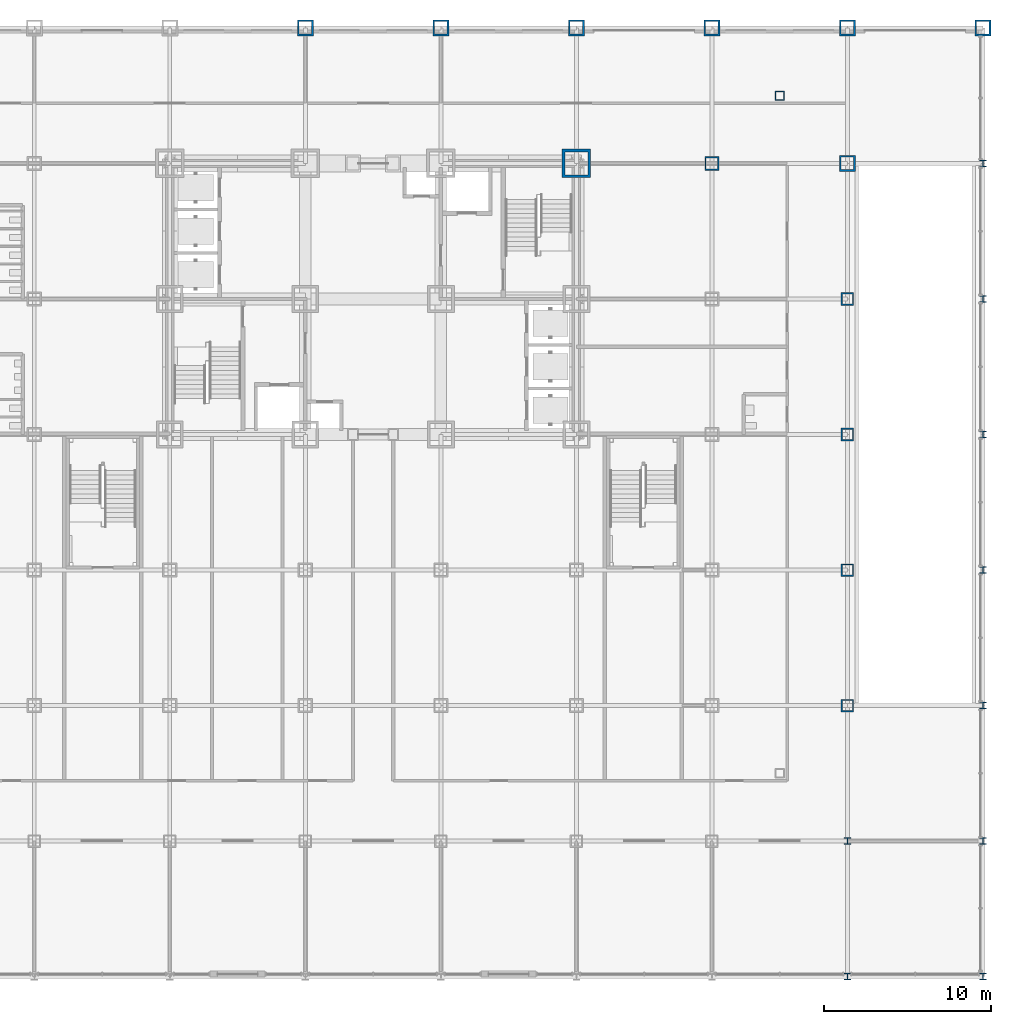
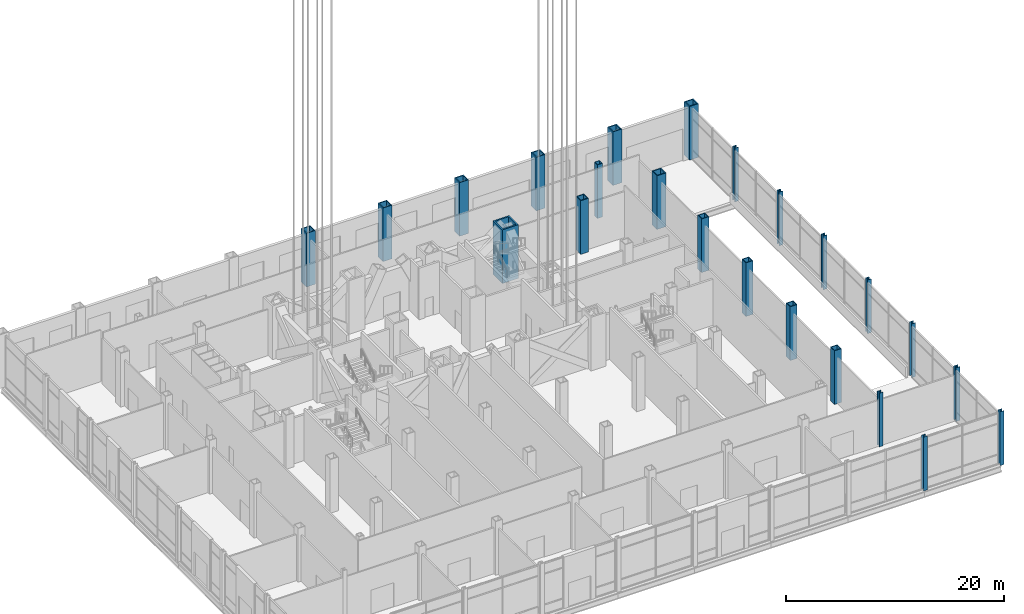
# One storey, part 8 of 35: 23 columns.
"""IFC4 building model written with IfcOpenShell, lengths in metres."""

from ifc_helpers import new_model, si_unit, direction, frame, origin, origin_2d, place, context, subcontext, project, spatial, hollow_rectangle, i_section, extrude, material, material_profile, profile_set, type_object, element, save


model = new_model("IFC4")

# Units and contexts
model_context = context("Model", 3, precision=1e-05, world=origin(), true_north=direction((0.0, 1.0)))
body_context = subcontext(model_context, "Body", "Model", "MODEL_VIEW")
ifc_project = project(units=[si_unit("LENGTHUNIT", "METRE"), si_unit("AREAUNIT", "SQUARE_METRE"), si_unit("VOLUMEUNIT", "CUBIC_METRE"), si_unit("PLANEANGLEUNIT", "RADIAN"), si_unit("MASSUNIT", "GRAM", prefix="KILO")], contexts=[model_context])

# Site, building, storey
site_placement = place(None, origin())
site = spatial("IfcSite", under=ifc_project, at=site_placement, CompositionType="ELEMENT")
building_placement = place(site_placement, origin())
building = spatial("IfcBuilding", under=site, at=building_placement, Name="Kopane Lantern Tower", CompositionType="ELEMENT")
storey_placement = place(building_placement, origin())
storey = spatial("IfcBuildingStorey", under=building, at=storey_placement, Name="L00", CompositionType="ELEMENT", Elevation=0.0)

# Columns
ifc_material_1 = material(Name="Steel S355JR", Category="steel")
ifc_material_profile_1 = material_profile(ifc_material_1, hollow_rectangle(XDim=1.699951171875, YDim=1.699951171875, WallThickness=0.159912109375, at=origin_2d()), Name="BOX 1700x1700x160")
ifc_profile_set_1 = profile_set([ifc_material_profile_1], Name="Steel S355JR")
column_type_1 = type_object("IfcColumnType", Name="COLUMN BOX 1700x1700x160", PredefinedType="COLUMN", material=ifc_profile_set_1)
column_1_placement = place(storey_placement, frame((40.5, 40.5, 0.0), z_axis=(0.0, 0.0, 1.0), x_axis=(1.0, 0.0, 0.0)))
element("IfcColumn", 1, at=column_1_placement, inside=storey, type_object=column_type_1, Name="Column 7/G L00", PredefinedType="COLUMN", context=body_context, shape_type="SweptSolid", body=[
    extrude(hollow_rectangle(XDim=1.699951171875, YDim=1.699951171875, WallThickness=0.159912109375, at=origin_2d()), origin(), (0.0, 0.0, 1.0), 6.0),
])
ifc_material_2 = material(Name="Steel S355JR", Category="steel")
ifc_material_profile_2 = material_profile(ifc_material_2, hollow_rectangle(XDim=0.550048828125, YDim=0.550048828125, WallThickness=0.050048828125, at=origin_2d()), Name="BOX 550x550x50")
ifc_profile_set_2 = profile_set([ifc_material_profile_2], Name="Steel S355JR")
column_type_2 = type_object("IfcColumnType", Name="COLUMN BOX 550x550x50", PredefinedType="COLUMN", material=ifc_profile_set_2)
column_2_placement = place(storey_placement, frame((52.64990234375, 44.550048828125, 0.0), z_axis=(0.0, 0.0, 1.0), x_axis=(1.0, 0.0, 0.0)))
element("IfcColumn", 2, at=column_2_placement, inside=storey, type_object=column_type_2, Name="Column 52.65/44.55 L00", PredefinedType="COLUMN", context=body_context, shape_type="SweptSolid", body=[
    extrude(hollow_rectangle(XDim=0.550048828125, YDim=0.550048828125, WallThickness=0.050048828125, at=origin_2d()), origin(), (0.0, 0.0, 1.0), 6.0),
])
ifc_material_3 = material(Name="Steel S355JR", Category="steel")
ifc_material_profile_3 = material_profile(ifc_material_3, hollow_rectangle(XDim=0.75, YDim=0.75, WallThickness=0.070068359375, at=origin_2d()), Name="BOX 750x750x70")
ifc_profile_set_3 = profile_set([ifc_material_profile_3], Name="Steel S355JR")
column_type_3 = type_object("IfcColumnType", Name="COLUMN BOX 750x750x70", PredefinedType="COLUMN", material=ifc_profile_set_3)
for number, where, z_axis, x_axis, name in (
    (3, (56.699951171875, 8.10009765625, 0.0), (0.0, 0.0, 1.0), (1.0, 0.0, 0.0), "Column 9/C L00"),
    (4, (56.699951171875, 16.199951171875, 0.0), (0.0, 0.0, 1.0), (1.0, 0.0, 0.0), "Column 9/D L00"),
    (5, (56.699951171875, 24.300048828125, 0.0), (0.0, 0.0, 1.0), (1.0, 0.0, 0.0), "Column 9/E L00"),
    (6, (56.699951171875, 32.39990234375, 0.0), (0.0, 0.0, 1.0), (1.0, 0.0, 0.0), "Column 9/F L00"),
):
    element("IfcColumn", number, at=place(storey_placement, frame(where, z_axis=z_axis, x_axis=x_axis)), inside=storey, type_object=column_type_3, Name=name, PredefinedType="COLUMN", context=body_context, shape_type="SweptSolid", body=[
        extrude(hollow_rectangle(XDim=0.75, YDim=0.75, WallThickness=0.070068359375, at=origin_2d()), origin(), (0.0, 0.0, 1.0), 6.0),
    ])
ifc_material_4 = material(Name="Steel S355JR", Category="steel")
ifc_material_profile_4 = material_profile(ifc_material_4, hollow_rectangle(XDim=0.85009765625, YDim=0.85009765625, WallThickness=0.0849609375, at=origin_2d()), Name="BOX 850x850x85")
ifc_profile_set_4 = profile_set([ifc_material_profile_4], Name="Steel S355JR")
column_type_4 = type_object("IfcColumnType", Name="COLUMN BOX 850x850x85", PredefinedType="COLUMN", material=ifc_profile_set_4)
column_3_placement = place(storey_placement, frame((48.60009765625, 40.5, 0.0), z_axis=(0.0, 0.0, 1.0), x_axis=(1.0, 0.0, 0.0)))
element("IfcColumn", 7, at=column_3_placement, inside=storey, type_object=column_type_4, Name="Column 8/G L00", PredefinedType="COLUMN", context=body_context, shape_type="SweptSolid", body=[
    extrude(hollow_rectangle(XDim=0.85009765625, YDim=0.85009765625, WallThickness=0.0849609375, at=origin_2d()), origin(), (0.0, 0.0, 1.0), 6.0),
])
ifc_material_5 = material(Name="Steel S355JR", Category="steel")
ifc_material_profile_5 = material_profile(ifc_material_5, hollow_rectangle(XDim=0.949951171875, YDim=0.949951171875, WallThickness=0.10009765625, at=origin_2d()), Name="BOX 950x950x100")
ifc_profile_set_5 = profile_set([ifc_material_profile_5], Name="Steel S355JR")
column_type_5 = type_object("IfcColumnType", Name="COLUMN BOX 950x950x100", PredefinedType="COLUMN", material=ifc_profile_set_5)
for number, where, z_axis, x_axis, name in (
    (8, (24.300048828125, 48.60009765625, 0.0), (0.0, 0.0, 1.0), (1.0, 0.0, 0.0), "Column 5/H L00"),
    (9, (32.39990234375, 48.60009765625, 0.0), (0.0, 0.0, 1.0), (1.0, 0.0, 0.0), "Column 6/H L00"),
    (10, (40.5, 48.60009765625, 0.0), (0.0, 0.0, 1.0), (1.0, 0.0, 0.0), "Column 7/H L00"),
    (11, (48.60009765625, 48.60009765625, 0.0), (0.0, 0.0, 1.0), (1.0, 0.0, 0.0), "Column 8/H L00"),
    (12, (56.699951171875, 40.5, 0.0), (0.0, 0.0, 1.0), (1.0, 0.0, 0.0), "Column 9/G L00"),
    (13, (56.699951171875, 48.60009765625, 0.0), (0.0, 0.0, 1.0), (1.0, 0.0, 0.0), "Column 9/H L00"),
    (14, (64.800048828125, 48.60009765625, 0.0), (0.0, 0.0, 1.0), (1.0, 0.0, 0.0), "Column 10/H L00"),
):
    element("IfcColumn", number, at=place(storey_placement, frame(where, z_axis=z_axis, x_axis=x_axis)), inside=storey, type_object=column_type_5, Name=name, PredefinedType="COLUMN", context=body_context, shape_type="SweptSolid", body=[
        extrude(hollow_rectangle(XDim=0.949951171875, YDim=0.949951171875, WallThickness=0.10009765625, at=origin_2d()), origin(), (0.0, 0.0, 1.0), 6.0),
    ])
ifc_material_6 = material(Name="Steel S355JR", Category="steel")
ifc_material_profile_6 = material_profile(ifc_material_6, i_section(OverallWidth=0.403076171875, OverallDepth=0.406494140625, WebThickness=0.026611328125, FlangeThickness=0.04296875, FilletRadius=0.01513671875, at=origin_2d()), Name="UC 356x406x340")
ifc_profile_set_6 = profile_set([ifc_material_profile_6], Name="Steel S355JR")
column_type_6 = type_object("IfcColumnType", Name="COLUMN UC 356x406x340", PredefinedType="COLUMN", material=ifc_profile_set_6)
for number, where, z_axis, x_axis, name in (
    (15, (56.699951171875, -8.10009765625, 0.0), (0.0, 0.0, 1.0), (1.0, 0.0, 0.0), "Column 9/A L00"),
    (16, (56.699951171875, 0.0, 0.0), (0.0, 0.0, 1.0), (1.0, 0.0, 0.0), "Column 9/B L00"),
    (17, (64.800048828125, -8.10009765625, 0.0), (0.0, 0.0, 1.0), (1.0, 0.0, 0.0), "Column 10/A L00"),
    (18, (64.800048828125, 0.0, 0.0), (0.0, 0.0, 1.0), (1.0, 0.0, 0.0), "Column 10/B L00"),
    (19, (64.800048828125, 8.10009765625, 0.0), (0.0, 0.0, 1.0), (1.0, 0.0, 0.0), "Column 10/C L00"),
    (20, (64.800048828125, 16.199951171875, 0.0), (0.0, 0.0, 1.0), (1.0, 0.0, 0.0), "Column 10/D L00"),
    (21, (64.800048828125, 24.300048828125, 0.0), (0.0, 0.0, 1.0), (1.0, 0.0, 0.0), "Column 10/E L00"),
    (22, (64.800048828125, 32.39990234375, 0.0), (0.0, 0.0, 1.0), (1.0, 0.0, 0.0), "Column 10/F L00"),
    (23, (64.800048828125, 40.5, 0.0), (0.0, 0.0, 1.0), (1.0, 0.0, 0.0), "Column 10/G L00"),
):
    element("IfcColumn", number, at=place(storey_placement, frame(where, z_axis=z_axis, x_axis=x_axis)), inside=storey, type_object=column_type_6, Name=name, PredefinedType="COLUMN", context=body_context, shape_type="SweptSolid", body=[
        extrude(i_section(OverallWidth=0.403076171875, OverallDepth=0.406494140625, WebThickness=0.026611328125, FlangeThickness=0.04296875, FilletRadius=0.01513671875, at=origin_2d()), origin(), (0.0, 0.0, 1.0), 6.0),
    ])

save(model, "model.ifc")
